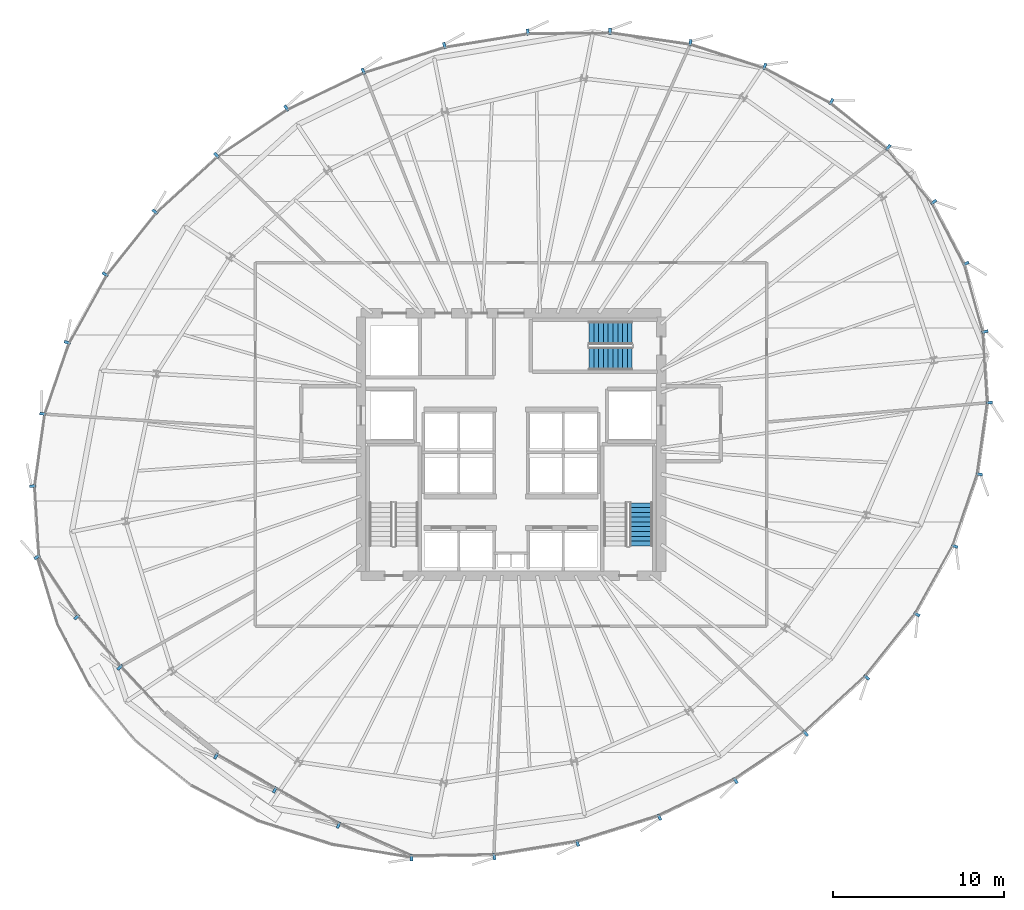
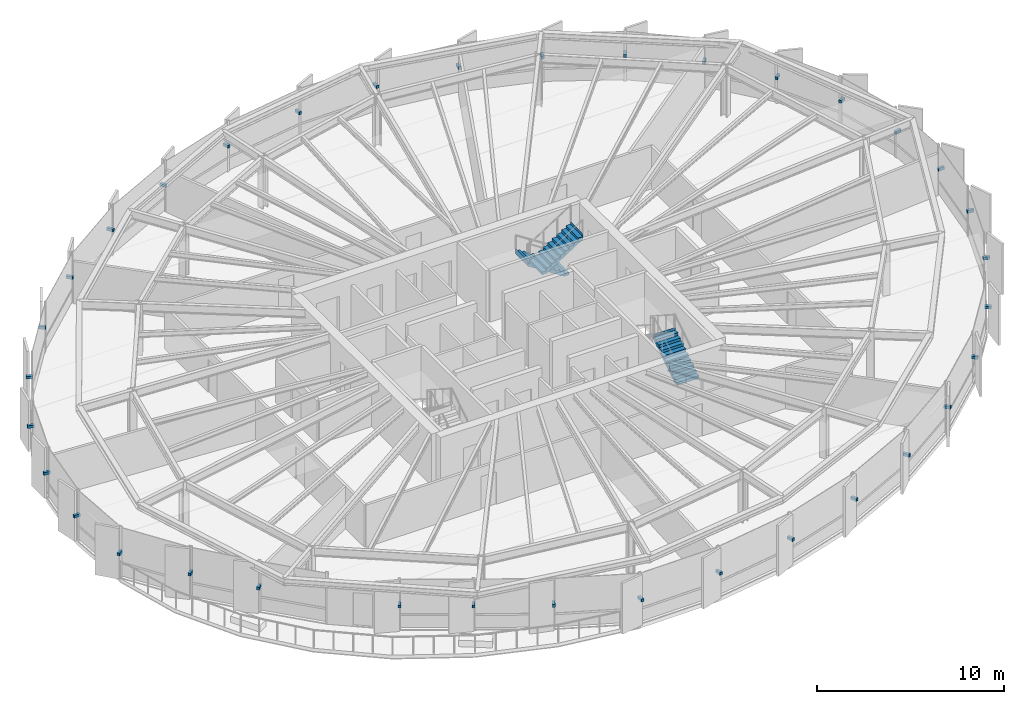
# One storey, part 31 of 35: 35 discrete accessories, 3 stair flights, 2 elements without a shape of their own.
"""IFC4 building model written with IfcOpenShell, lengths in metres."""

from ifc_helpers import new_model, si_unit, direction, frame, origin, origin_2d, place, context, subcontext, project, spatial, polyline, rectangle, outline, extrude, source, transform, mapped, material, type_object, element, aggregate, save


model = new_model("IFC4")

# Units and contexts
model_context = context("Model", 3, precision=1e-05, world=origin(), true_north=direction((0.0, 1.0)))
body_context = subcontext(model_context, "Body", "Model", "MODEL_VIEW")
ifc_project = project(units=[si_unit("LENGTHUNIT", "METRE"), si_unit("AREAUNIT", "SQUARE_METRE"), si_unit("VOLUMEUNIT", "CUBIC_METRE"), si_unit("PLANEANGLEUNIT", "RADIAN"), si_unit("MASSUNIT", "GRAM", prefix="KILO"), si_unit("THERMODYNAMICTEMPERATUREUNIT", "KELVIN")], contexts=[model_context])

# Site, building, storey
site_placement = place(None, origin())
site = spatial("IfcSite", under=ifc_project, at=site_placement, CompositionType="ELEMENT")
building_placement = place(site_placement, origin())
building = spatial("IfcBuilding", under=site, at=building_placement, Name="Kethvar Cultural Tower", CompositionType="ELEMENT")
storey_placement = place(building_placement, frame((0.0, 0.0, 121.60009765625)))
storey = spatial("IfcBuildingStorey", under=building, at=storey_placement, Name="L30", CompositionType="ELEMENT", Elevation=121.60009765625)

# Stair, stair flight
ifc_material_1 = material(Name="Concrete C40/50", Category="concrete")
stair_type = type_object("IfcStairType", Name="ST-DOGLEG-135", PredefinedType="HALF_TURN_STAIR", material=ifc_material_1)
stair_1_placement = place(storey_placement, origin())
stair_1 = element("IfcStair", 1, at=stair_1_placement, inside=storey, type_object=stair_type, Name="L30 Core Exit Stair 2", PredefinedType="HALF_TURN_STAIR")
stair_flight_type = type_object("IfcStairFlightType", Name="FL-STRAIGHT-135", PredefinedType="STRAIGHT", material=ifc_material_1)
stair_flight_1_placement = place(storey_placement, frame((54.43505859375, 21.85009765625, 0.0), z_axis=(0.0, 0.0, 1.0), x_axis=(0.0, 1.0, 0.0)))
stair_flight_1 = element("IfcStairFlight", 2, at=stair_flight_1_placement, type_object=stair_flight_type, Name="ST-02 flight 1", NumberOfRisers=10, NumberOfTreads=9, PredefinedType="STRAIGHT", RiserHeight=0.18, TreadLength=0.28, context=body_context, shape_type="SweptSolid", body=[
    extrude(outline(polyline([(-0.0009765625, -0.0009765625), (-0.0009765625, 0.179931640625), (0.280029296875, 0.179931640625), (0.280029296875, 0.360107421875), (0.56005859375, 0.360107421875), (0.56005859375, 0.5400390625), (0.840087890625, 0.5400390625), (0.840087890625, 0.719970703125), (1.1201171875, 0.719970703125), (1.1201171875, 0.89990234375), (1.39990234375, 0.89990234375), (1.39990234375, 1.080078125), (1.679931640625, 1.080078125), (1.679931640625, 1.260009765625), (1.9599609375, 1.260009765625), (1.9599609375, 1.43994140625), (2.239990234375, 1.43994140625), (2.239990234375, 1.6201171875), (2.52001953125, 1.6201171875), (2.52001953125, 1.800048828125), (2.52099609375, 1.800048828125), (2.52099609375, 1.44189453125), (0.277099609375, 0.0), (0.0, -0.0009765625), (-0.0009765625, -0.0009765625)])), frame((0.0, 0.675048828125, 0.0), z_axis=(0.0, -1.0, 0.0), x_axis=(1.0, 0.0, 0.0)), (0.0, 0.0, 1.0), 1.35009765625),
])
aggregate(stair_1, [stair_flight_1])

# Stair, stair flights
stair_2_placement = place(storey_placement, origin())
stair_2 = element("IfcStair", 3, at=stair_2_placement, inside=storey, type_object=stair_type, Name="L30 Core Exit Stair 3", PredefinedType="HALF_TURN_STAIR")
stair_flight_2_placement = place(storey_placement, frame((53.89990234375, 34.3349609375, 0.0), z_axis=(0.0, 0.0, 1.0), x_axis=(-1.0, 0.0, 0.0)))
stair_flight_2 = element("IfcStairFlight", 4, at=stair_flight_2_placement, type_object=stair_flight_type, Name="ST-03 flight 1", NumberOfRisers=10, NumberOfTreads=9, PredefinedType="STRAIGHT", RiserHeight=0.18, TreadLength=0.28, context=body_context, shape_type="SweptSolid", body=[
    extrude(outline(polyline([(-0.0009765625, -0.0009765625), (-0.0009765625, 0.179931640625), (0.280029296875, 0.179931640625), (0.280029296875, 0.360107421875), (0.56005859375, 0.360107421875), (0.56005859375, 0.5400390625), (0.840087890625, 0.5400390625), (0.840087890625, 0.719970703125), (1.1201171875, 0.719970703125), (1.1201171875, 0.89990234375), (1.39990234375, 0.89990234375), (1.39990234375, 1.080078125), (1.679931640625, 1.080078125), (1.679931640625, 1.260009765625), (1.9599609375, 1.260009765625), (1.9599609375, 1.43994140625), (2.239990234375, 1.43994140625), (2.239990234375, 1.6201171875), (2.52001953125, 1.6201171875), (2.52001953125, 1.800048828125), (2.52099609375, 1.800048828125), (2.52099609375, 1.44189453125), (0.277099609375, 0.0), (0.0, -0.0009765625), (-0.0009765625, -0.0009765625)])), frame((0.0, 0.675048828125, 0.0), z_axis=(0.0, -1.0, 0.0), x_axis=(1.0, 0.0, 0.0)), (0.0, 0.0, 1.0), 1.35009765625),
])
stair_flight_3_placement = place(storey_placement, frame((51.3798828125, 32.824951171875, 1.7998046875), z_axis=(0.0, 0.0, 1.0), x_axis=(1.0, 0.0, 0.0)))
stair_flight_3 = element("IfcStairFlight", 5, at=stair_flight_3_placement, type_object=stair_flight_type, Name="ST-03 flight 2", NumberOfRisers=10, NumberOfTreads=9, PredefinedType="STRAIGHT", RiserHeight=0.18, TreadLength=0.28, context=body_context, shape_type="SweptSolid", body=[
    extrude(outline(polyline([(-0.0009765625, -0.0009765625), (-0.0009765625, 0.179931640625), (0.280029296875, 0.179931640625), (0.280029296875, 0.360107421875), (0.56005859375, 0.360107421875), (0.56005859375, 0.5400390625), (0.840087890625, 0.5400390625), (0.840087890625, 0.719970703125), (1.1201171875, 0.719970703125), (1.1201171875, 0.89990234375), (1.39990234375, 0.89990234375), (1.39990234375, 1.080078125), (1.679931640625, 1.080078125), (1.679931640625, 1.260009765625), (1.9599609375, 1.260009765625), (1.9599609375, 1.43994140625), (2.239990234375, 1.43994140625), (2.239990234375, 1.6201171875), (2.52001953125, 1.6201171875), (2.52001953125, 1.800048828125), (2.52099609375, 1.800048828125), (2.52099609375, 1.44189453125), (0.277099609375, 0.0), (0.0, -0.0009765625), (-0.0009765625, -0.0009765625)])), frame((0.0, 0.675048828125, 0.0), z_axis=(0.0, -1.0, 0.0), x_axis=(1.0, 0.0, 0.0)), (0.0, 0.0, 1.0), 1.35009765625),
])
aggregate(stair_2, [stair_flight_2, stair_flight_3])

# Discrete accessories
ifc_material_2 = material(Name="Steel S355J2", Category="steel")
discrete_accessory_type = type_object("IfcDiscreteAccessoryType", Name="Steel Fin Bracket BRK-01", PredefinedType="BRACKET", material=ifc_material_2)
shared_shape = source(origin(), body_context, "Body", "SweptSolid", [
    extrude(rectangle(XDim=0.3798828125, YDim=0.159912109375, at=origin_2d()), origin(), (0.0, 0.0, 1.0), 0.179931640625),
])
for number, where, z_axis, x_axis, name in (
    (6, (73.480224609375, 38.40625, 1.5849609375), (0.0, 0.0, 1.0), (0.885474742511, 0.464687508306, 0.0), "L30 Terracotta Fin Bracket 1.1"),
    (7, (71.58740234375, 42.01220703125, 1.5849609375), (0.0, 0.0, 1.0), (0.769399555047, 0.638767817516, 0.0), "L30 Terracotta Fin Bracket 1.2"),
    (8, (68.92333984375, 45.220703125, 1.5849609375), (0.0, 0.0, 1.0), (0.626195665085, 0.779665947075, 0.0), "L30 Terracotta Fin Bracket 1.3"),
    (9, (65.587158203125, 47.89990234375, 1.5849609375), (0.0, 0.0, 1.0), (0.467929814261, 0.883765630089, 0.0), "L30 Terracotta Fin Bracket 1.4"),
    (10, (61.68017578125, 49.96826171875, 1.5849609375), (0.0, 0.0, 1.0), (0.304698069961, 0.952448993995, 0.0), "L30 Terracotta Fin Bracket 1.5"),
    (11, (57.321044921875, 51.36279296875, 1.5849609375), (0.0, 0.0, 1.0), (0.143665346556, 0.989626327559, 0.0), "L30 Terracotta Fin Bracket 1.6"),
    (12, (52.603515625, 52.041015625, 1.5849609375), (0.0, 0.0, 1.0), (-0.011867960299, 0.999929573279, 0.0), "L30 Terracotta Fin Bracket 2.1"),
    (13, (47.78662109375, 51.98388671875, 1.5849609375), (0.0, 0.0, 1.0), (-0.160053473036, 0.987108345507, 0.0), "L30 Terracotta Fin Bracket 2.2"),
    (14, (42.900390625, 51.19140625, 1.5849609375), (0.0, 0.0, 1.0), (-0.300705799504, 0.953716950748, 0.0), "L30 Terracotta Fin Bracket 2.3"),
    (15, (38.133056640625, 49.6884765625, 1.5849609375), (0.0, 0.0, 1.0), (-0.433659084588, 0.901077021322, 0.0), "L30 Terracotta Fin Bracket 2.4"),
    (16, (33.62890625, 47.520263671875, 1.5849609375), (0.0, 0.0, 1.0), (-0.559048200602, 0.829135157501, 0.0), "L30 Terracotta Fin Bracket 2.5"),
    (17, (29.524658203125, 44.7529296875, 1.5849609375), (0.0, 0.0, 1.0), (-0.675847524792, 0.737041466427, 0.0), "L30 Terracotta Fin Bracket 2.6"),
    (18, (25.9208984375, 41.440185546875, 1.5849609375), (0.0, 0.0, 1.0), (-0.782173368969, 0.623060848454, 0.0), "L30 Terracotta Fin Bracket 3.1"),
    (19, (22.99951171875, 37.77294921875, 1.5849609375), (0.0, 0.0, 1.0), (-0.874111536221, 0.485725253868, 0.0), "L30 Terracotta Fin Bracket 3.2"),
    (20, (20.77685546875, 33.772216796875, 1.5849609375), (0.0, 0.0, 1.0), (-0.946085358828, 0.323917418198, 0.0), "L30 Terracotta Fin Bracket 3.3"),
    (21, (19.344970703125, 29.589599609375, 1.5849609375), (0.0, 0.0, 1.0), (-0.990195062136, 0.139691585007, 0.0), "L30 Terracotta Fin Bracket 3.4"),
    (22, (18.747314453125, 25.352783203125, 1.5849609375), (0.0, 0.0, 1.0), (-0.998134798422, -0.061048539535, 0.0), "L30 Terracotta Fin Bracket 3.5"),
    (23, (19.00341796875, 21.187255859375, 1.5849609375), (0.0, 0.0, 1.0), (-0.834463351792, -0.551063439648, 0.0), "L30 Terracotta Fin Bracket 3.6"),
    (24, (21.330078125, 17.672607421875, 1.5849609375), (0.0, 0.0, 1.0), (-0.760065811178, -0.64984610692, 0.0), "L30 Terracotta Fin Bracket 4.1"),
    (25, (23.8544921875, 14.72021484375, 1.5849609375), (0.0, 0.0, 1.0), (-0.733136660803, -0.680081345566, 0.0), "L30 Terracotta Fin Bracket 4.2"),
    (26, (29.506103515625, 9.5224609375, 1.5849609375), (0.0, 0.0, 1.0), (-0.500302269426, -0.865850818101, 0.0), "L30 Terracotta Fin Bracket 5.1"),
    (27, (32.9462890625, 7.5341796875, 1.5849609375), (0.0, 0.0, 1.0), (-0.484504290844, -0.874788884333, 0.0), "L30 Terracotta Fin Bracket 5.2"),
    (28, (36.684326171875, 5.46435546875, 1.5849609375), (0.0, 0.0, 1.0), (-0.407533706906, -0.913190165155, 0.0), "L30 Terracotta Fin Bracket 5.3"),
    (29, (40.95751953125, 3.558349609375, 1.5849609375), (0.0, 0.0, 1.0), (0.011867960299, -0.999929573279, 0.0), "L30 Terracotta Fin Bracket 5.4"),
    (30, (45.8134765625, 3.6162109375, 1.5849609375), (0.0, 0.0, 1.0), (0.160053473036, -0.987108345507, 0.0), "L30 Terracotta Fin Bracket 5.5"),
    (31, (50.699462890625, 4.40869140625, 1.5849609375), (0.0, 0.0, 1.0), (0.300705799504, -0.953716950748, 0.0), "L30 Terracotta Fin Bracket 5.6"),
    (32, (55.502197265625, 5.928466796875, 1.5849609375), (0.0, 0.0, 1.0), (0.433659084588, -0.901077021322, 0.0), "L30 Terracotta Fin Bracket 6.1"),
    (33, (59.97119140625, 8.079833984375, 1.5849609375), (0.0, 0.0, 1.0), (0.559048200602, -0.829135157501, 0.0), "L30 Terracotta Fin Bracket 6.2"),
    (34, (64.075439453125, 10.846923828125, 1.5849609375), (0.0, 0.0, 1.0), (0.675847524792, -0.737041466427, 0.0), "L30 Terracotta Fin Bracket 6.3"),
    (35, (67.65478515625, 14.12939453125, 1.5849609375), (0.0, 0.0, 1.0), (0.782173368969, -0.623060848454, 0.0), "L30 Terracotta Fin Bracket 6.4"),
    (36, (70.600341796875, 17.826904296875, 1.5849609375), (0.0, 0.0, 1.0), (0.874111536221, -0.485725253868, 0.0), "L30 Terracotta Fin Bracket 6.5"),
    (37, (72.822998046875, 21.827880859375, 1.5849609375), (0.0, 0.0, 1.0), (0.946085358828, -0.323917418198, 0.0), "L30 Terracotta Fin Bracket 6.6"),
    (38, (74.260498046875, 26.048828125, 1.5849609375), (0.0, 0.0, 1.0), (0.990195062136, -0.139691585007, 0.0), "L30 Terracotta Fin Bracket 7.1"),
    (39, (74.852783203125, 30.247314453125, 1.5849609375), (0.0, 0.0, 1.0), (0.998134798422, 0.061048539535, 0.0), "L30 Terracotta Fin Bracket 7.2"),
    (40, (74.597900390625, 34.409912109375, 1.5849609375), (0.0, 0.0, 1.0), (0.963583796636, 0.267406557249, 0.0), "L30 Terracotta Fin Bracket 7.3"),
):
    element("IfcDiscreteAccessory", number, at=place(storey_placement, frame(where, z_axis=z_axis, x_axis=x_axis)), inside=storey, type_object=discrete_accessory_type, Name=name, PredefinedType="BRACKET", context=body_context, shape_type="MappedRepresentation", body=[
        mapped(shared_shape, transform((0.0, 0.0, 0.0), scale=1.0)),
    ])

save(model, "model.ifc")
